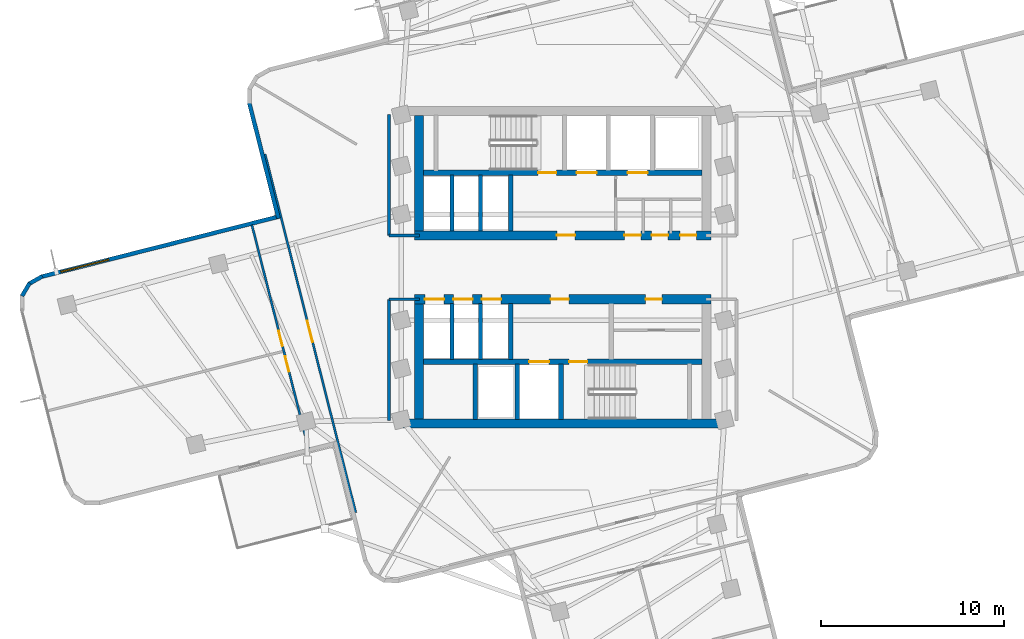
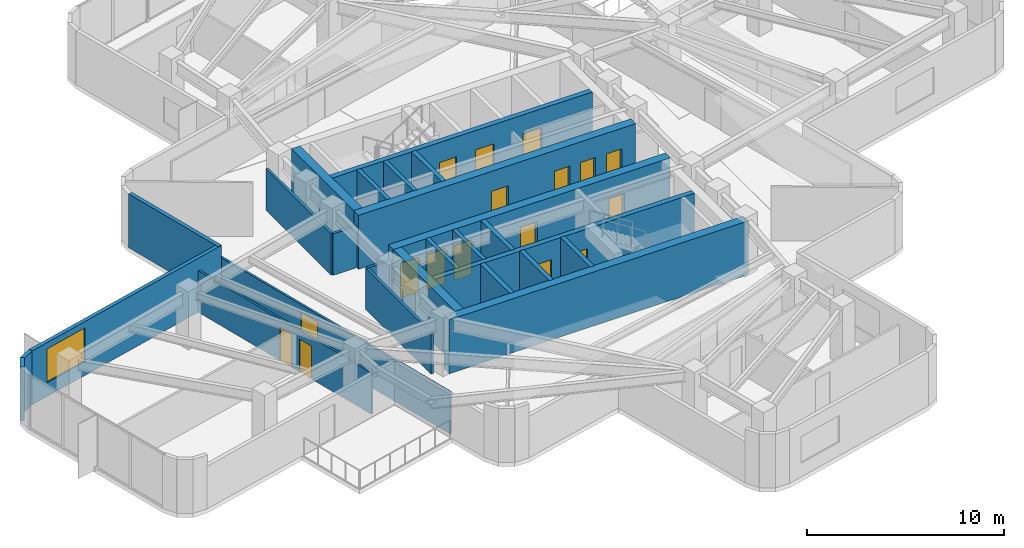
# One storey, part 6 of 11: 26 walls, 17 doors, 1 window, 18 openings.
"""IFC4 building model written with IfcOpenShell, lengths in metres."""

from ifc_helpers import new_model, si_unit, direction, frame, frame_2d, origin, place, context, subcontext, project, spatial, rectangle, extrude, material, layer, layer_set, type_object, element, fill, save


model = new_model("IFC4")

# Units and contexts
model_context = context("Model", 3, precision=1e-05, world=origin(), true_north=direction((0.0, 1.0)))
body_context = subcontext(model_context, "Body", "Model", "MODEL_VIEW")
ifc_project = project(units=[si_unit("LENGTHUNIT", "METRE"), si_unit("AREAUNIT", "SQUARE_METRE"), si_unit("VOLUMEUNIT", "CUBIC_METRE"), si_unit("PLANEANGLEUNIT", "RADIAN"), si_unit("MASSUNIT", "GRAM", prefix="KILO")], contexts=[model_context])

# Site, building, storey
site_placement = place(None, origin())
site = spatial("IfcSite", under=ifc_project, at=site_placement, CompositionType="ELEMENT")
building_placement = place(site_placement, origin())
building = spatial("IfcBuilding", under=site, at=building_placement, Name="Solmarez Civic Tower", CompositionType="ELEMENT")
storey_placement = place(building_placement, frame((0.0, 0.0, 127.080078125)))
storey = spatial("IfcBuildingStorey", under=building, at=storey_placement, Name="L33", CompositionType="ELEMENT", Elevation=127.080078125)

# Wall, openings, doors
ifc_material_1 = material(Name="Concrete C60/75", Category="concrete")
ifc_layer_1 = layer(ifc_material_1, 0.5)
ifc_layer_set_1 = layer_set([ifc_layer_1], Name="Concrete C60/75")
wall_type_1 = type_object("IfcWallType", Name="WALL-CORE-500", PredefinedType="SHEAR", material=ifc_layer_set_1)
wall_1_placement = place(storey_placement, frame((8.1201171875, 1.75, 0.0), z_axis=(0.0, 0.0, 1.0), x_axis=(-1.0, 0.0, 0.0)))
wall_1 = element("IfcWall", 1, at=wall_1_placement, inside=storey, type_object=wall_type_1, Name="L33 Split-Core Structural Wall NCW-S-L33", PredefinedType="SHEAR", context=body_context, shape_type="SweptSolid", body=[
    extrude(rectangle(XDim=16.240234375, YDim=0.5, at=frame_2d((8.1201171875, 0.0))), origin(), (0.0, 0.0, 1.0), 3.33984375),
])
opening_1_placement = place(wall_1_placement, frame((7.449951171875, 0.0, 0.0)))
opening_1 = element("IfcOpeningElement", 2, at=opening_1_placement, cuts=wall_1, Name="Opening D-04", PredefinedType="OPENING", context=body_context, shape_type="SweptSolid", body=[
    extrude(rectangle(XDim=1.0, YDim=2.10009765625, at=frame_2d((0.5, 1.050048828125))), frame((0.0, 0.260009765625, 0.0), z_axis=(0.0, -1.0, 0.0), x_axis=(1.0, 0.0, 0.0)), (0.0, 0.0, 1.0), 0.52001953125),
])
opening_2_placement = place(wall_1_placement, frame((3.85009765625, 0.0, 0.0)))
opening_2 = element("IfcOpeningElement", 3, at=opening_2_placement, cuts=wall_1, Name="Opening D-09", PredefinedType="OPENING", context=body_context, shape_type="SweptSolid", body=[
    extrude(rectangle(XDim=0.89990234375, YDim=2.06005859375, at=frame_2d((0.449951171875, 1.030029296875))), frame((0.0, 0.260009765625, 0.0), z_axis=(0.0, -1.0, 0.0), x_axis=(1.0, 0.0, 0.0)), (0.0, 0.0, 1.0), 0.52001953125),
])
opening_3_placement = place(wall_1_placement, frame((2.35009765625, 0.0, 0.0)))
opening_3 = element("IfcOpeningElement", 4, at=opening_3_placement, cuts=wall_1, Name="Opening D-09", PredefinedType="OPENING", context=body_context, shape_type="SweptSolid", body=[
    extrude(rectangle(XDim=0.89990234375, YDim=2.06005859375, at=frame_2d((0.449951171875, 1.030029296875))), frame((0.0, 0.260009765625, 0.0), z_axis=(0.0, -1.0, 0.0), x_axis=(1.0, 0.0, 0.0)), (0.0, 0.0, 1.0), 0.52001953125),
])
opening_4_placement = place(wall_1_placement, frame((0.800048828125, 0.0, 0.0)))
opening_4 = element("IfcOpeningElement", 5, at=opening_4_placement, cuts=wall_1, Name="Opening D-09", PredefinedType="OPENING", context=body_context, shape_type="SweptSolid", body=[
    extrude(rectangle(XDim=0.89990234375, YDim=2.06005859375, at=frame_2d((0.449951171875, 1.030029296875))), frame((0.0, 0.260009765625, 0.0), z_axis=(0.0, -1.0, 0.0), x_axis=(1.0, 0.0, 0.0)), (0.0, 0.0, 1.0), 0.52001953125),
])
ifc_material_2 = material(Name="Steel-Faced Acoustic Fire Door", Category="steel")
door_type_1 = type_object("IfcDoorType", Name="DOOR-FD60-1000", OperationType="NOTDEFINED", PredefinedType="DOOR", material=ifc_material_2)
door_1_placement = place(opening_1_placement, origin())
door_1 = element("IfcDoor", 6, at=door_1_placement, inside=storey, type_object=door_type_1, Name="L33 North Firefighting Lobby Door", OperationType="SINGLE_SWING_RIGHT", OverallHeight=2.10009765625, OverallWidth=1.0, PredefinedType="DOOR", context=body_context, shape_type="SweptSolid", body=[
    extrude(rectangle(XDim=1.0, YDim=2.10009765625, at=frame_2d((0.5, 1.050048828125))), frame((0.0, 0.02490234375, 0.0), z_axis=(0.0, -1.0, 0.0), x_axis=(1.0, 0.0, 0.0)), (0.0, 0.0, 1.0), 0.050048828125),
])
fill(opening_1, door_1)
ifc_material_3 = material(Name="Fire-Rated Service Core Door", Category="wood")
door_type_2 = type_object("IfcDoorType", Name="DOOR-FD60-900", OperationType="NOTDEFINED", PredefinedType="DOOR", material=ifc_material_3)
door_2_placement = place(opening_2_placement, origin())
door_2 = element("IfcDoor", 7, at=door_2_placement, inside=storey, type_object=door_type_2, Name="L33 Core WC Door", OperationType="SINGLE_SWING_RIGHT", OverallHeight=2.06005859375, OverallWidth=0.89990234375, PredefinedType="DOOR", context=body_context, shape_type="SweptSolid", body=[
    extrude(rectangle(XDim=0.89990234375, YDim=2.06005859375, at=frame_2d((0.449951171875, 1.030029296875))), frame((0.0, 0.02490234375, 0.0), z_axis=(0.0, -1.0, 0.0), x_axis=(1.0, 0.0, 0.0)), (0.0, 0.0, 1.0), 0.050048828125),
])
fill(opening_2, door_2)
door_3_placement = place(opening_3_placement, origin())
door_3 = element("IfcDoor", 8, at=door_3_placement, inside=storey, type_object=door_type_2, Name="L33 Core CL Door", OperationType="SINGLE_SWING_LEFT", OverallHeight=2.06005859375, OverallWidth=0.89990234375, PredefinedType="DOOR", context=body_context, shape_type="SweptSolid", body=[
    extrude(rectangle(XDim=0.89990234375, YDim=2.06005859375, at=frame_2d((0.449951171875, 1.030029296875))), frame((0.0, 0.02490234375, 0.0), z_axis=(0.0, -1.0, 0.0), x_axis=(1.0, 0.0, 0.0)), (0.0, 0.0, 1.0), 0.050048828125),
])
fill(opening_3, door_3)
door_4_placement = place(opening_4_placement, origin())
door_4 = element("IfcDoor", 9, at=door_4_placement, inside=storey, type_object=door_type_2, Name="L33 Core IT Door", OperationType="SINGLE_SWING_LEFT", OverallHeight=2.06005859375, OverallWidth=0.89990234375, PredefinedType="DOOR", context=body_context, shape_type="SweptSolid", body=[
    extrude(rectangle(XDim=0.89990234375, YDim=2.06005859375, at=frame_2d((0.449951171875, 1.030029296875))), frame((0.0, 0.02490234375, 0.0), z_axis=(0.0, -1.0, 0.0), x_axis=(1.0, 0.0, 0.0)), (0.0, 0.0, 1.0), 0.050048828125),
])
fill(opening_4, door_4)

# Walls
wall_2_placement = place(storey_placement, frame((-7.8701171875, 2.0, 0.0), z_axis=(0.0, 0.0, 1.0), x_axis=(0.0, 1.0, 0.0)))
element("IfcWall", 10, at=wall_2_placement, inside=storey, type_object=wall_type_1, Name="L33 Split-Core Structural Wall NCW-W-L33", PredefinedType="SHEAR", context=body_context, shape_type="SweptSolid", body=[
    extrude(rectangle(XDim=6.31005859375, YDim=0.5, at=frame_2d((3.155029296875, 0.0))), origin(), (0.0, 0.0, 1.0), 3.33984375),
])
wall_3_placement = place(storey_placement, frame((8.780029296875, -8.56005859375, 0.0), z_axis=(0.0, 0.0, 1.0), x_axis=(-1.0, 0.0, 0.0)))
element("IfcWall", 11, at=wall_3_placement, inside=storey, type_object=wall_type_1, Name="L33 Split-Core Structural Wall SCW-S-L33", PredefinedType="SHEAR", context=body_context, shape_type="SweptSolid", body=[
    extrude(rectangle(XDim=17.56005859375, YDim=0.5, at=frame_2d((8.780029296875, 0.0))), origin(), (0.0, 0.0, 1.0), 3.33984375),
])

# Wall, openings, doors
wall_4_placement = place(storey_placement, frame((-8.1201171875, -1.75, 0.0), z_axis=(0.0, 0.0, 1.0), x_axis=(1.0, 0.0, 0.0)))
wall_4 = element("IfcWall", 12, at=wall_4_placement, inside=storey, type_object=wall_type_1, Name="L33 Split-Core Structural Wall SCW-N-L33", PredefinedType="SHEAR", context=body_context, shape_type="SweptSolid", body=[
    extrude(rectangle(XDim=16.240234375, YDim=0.5, at=frame_2d((8.1201171875, 0.0))), origin(), (0.0, 0.0, 1.0), 3.33984375),
])
opening_5_placement = place(wall_4_placement, frame((7.449951171875, 0.0, 0.0)))
opening_5 = element("IfcOpeningElement", 13, at=opening_5_placement, cuts=wall_4, Name="Opening D-04", PredefinedType="OPENING", context=body_context, shape_type="SweptSolid", body=[
    extrude(rectangle(XDim=1.0, YDim=2.10009765625, at=frame_2d((0.5, 1.050048828125))), frame((0.0, 0.260009765625, 0.0), z_axis=(0.0, -1.0, 0.0), x_axis=(1.0, 0.0, 0.0)), (0.0, 0.0, 1.0), 0.52001953125),
])
opening_6_placement = place(wall_4_placement, frame((12.64990234375, 0.0, 0.0)))
opening_6 = element("IfcOpeningElement", 14, at=opening_6_placement, cuts=wall_4, Name="Opening D-09", PredefinedType="OPENING", context=body_context, shape_type="SweptSolid", body=[
    extrude(rectangle(XDim=0.89990234375, YDim=2.06005859375, at=frame_2d((0.449951171875, 1.030029296875))), frame((0.0, 0.260009765625, 0.0), z_axis=(0.0, -1.0, 0.0), x_axis=(1.0, 0.0, 0.0)), (0.0, 0.0, 1.0), 0.52001953125),
])
opening_7_placement = place(wall_4_placement, frame((0.56494140625, 0.0, 0.0)))
opening_7 = element("IfcOpeningElement", 15, at=opening_7_placement, cuts=wall_4, Name="Opening LD-01", PredefinedType="OPENING", context=body_context, shape_type="SweptSolid", body=[
    extrude(rectangle(XDim=1.050048828125, YDim=2.14990234375, at=frame_2d((0.52490234375, 1.074951171875))), frame((0.0, 0.260009765625, 0.0), z_axis=(0.0, -1.0, 0.0), x_axis=(1.0, 0.0, 0.0)), (0.0, 0.0, 1.0), 0.52001953125),
])
opening_8_placement = place(wall_4_placement, frame((2.125, 0.0, 0.0)))
opening_8 = element("IfcOpeningElement", 16, at=opening_8_placement, cuts=wall_4, Name="Opening LD-01", PredefinedType="OPENING", context=body_context, shape_type="SweptSolid", body=[
    extrude(rectangle(XDim=1.050048828125, YDim=2.14990234375, at=frame_2d((0.52490234375, 1.074951171875))), frame((0.0, 0.260009765625, 0.0), z_axis=(0.0, -1.0, 0.0), x_axis=(1.0, 0.0, 0.0)), (0.0, 0.0, 1.0), 0.52001953125),
])
opening_9_placement = place(wall_4_placement, frame((3.68505859375, 0.0, 0.0)))
opening_9 = element("IfcOpeningElement", 17, at=opening_9_placement, cuts=wall_4, Name="Opening LD-01", PredefinedType="OPENING", context=body_context, shape_type="SweptSolid", body=[
    extrude(rectangle(XDim=1.050048828125, YDim=2.14990234375, at=frame_2d((0.52490234375, 1.074951171875))), frame((0.0, 0.260009765625, 0.0), z_axis=(0.0, -1.0, 0.0), x_axis=(1.0, 0.0, 0.0)), (0.0, 0.0, 1.0), 0.52001953125),
])
door_5_placement = place(opening_5_placement, origin())
door_5 = element("IfcDoor", 18, at=door_5_placement, inside=storey, type_object=door_type_1, Name="L33 South Firefighting Lobby Door", OperationType="SINGLE_SWING_LEFT", OverallHeight=2.10009765625, OverallWidth=1.0, PredefinedType="DOOR", context=body_context, shape_type="SweptSolid", body=[
    extrude(rectangle(XDim=1.0, YDim=2.10009765625, at=frame_2d((0.5, 1.050048828125))), frame((0.0, 0.02490234375, 0.0), z_axis=(0.0, -1.0, 0.0), x_axis=(1.0, 0.0, 0.0)), (0.0, 0.0, 1.0), 0.050048828125),
])
fill(opening_5, door_5)
door_6_placement = place(opening_6_placement, origin())
door_6 = element("IfcDoor", 19, at=door_6_placement, inside=storey, type_object=door_type_2, Name="L33 Freed Hoistway Mailroom Door", OperationType="SINGLE_SWING_LEFT", OverallHeight=2.06005859375, OverallWidth=0.89990234375, PredefinedType="DOOR", context=body_context, shape_type="SweptSolid", body=[
    extrude(rectangle(XDim=0.89990234375, YDim=2.06005859375, at=frame_2d((0.449951171875, 1.030029296875))), frame((0.0, 0.02490234375, 0.0), z_axis=(0.0, -1.0, 0.0), x_axis=(1.0, 0.0, 0.0)), (0.0, 0.0, 1.0), 0.050048828125),
])
fill(opening_6, door_6)
ifc_material_4 = material(Name="Bronze Passenger Lift Landing Sliding Door", Category="aluminium")
door_type_3 = type_object("IfcDoorType", Name="DOOR-LD-PAX-1050", OperationType="DOUBLE_DOOR_SLIDING", PredefinedType="DOOR", material=ifc_material_4)
door_7_placement = place(opening_7_placement, origin())
door_7 = element("IfcDoor", 20, at=door_7_placement, inside=storey, type_object=door_type_3, Name="L33 Mid-Rise Lift Landing Door PL-M1", OperationType="DOUBLE_DOOR_SLIDING", OverallHeight=2.14990234375, OverallWidth=1.050048828125, PredefinedType="DOOR", context=body_context, shape_type="SweptSolid", body=[
    extrude(rectangle(XDim=1.050048828125, YDim=2.14990234375, at=frame_2d((0.52490234375, 1.074951171875))), frame((0.0, 0.02490234375, 0.0), z_axis=(0.0, -1.0, 0.0), x_axis=(1.0, 0.0, 0.0)), (0.0, 0.0, 1.0), 0.050048828125),
])
fill(opening_7, door_7)
door_8_placement = place(opening_8_placement, origin())
door_8 = element("IfcDoor", 21, at=door_8_placement, inside=storey, type_object=door_type_3, Name="L33 Mid-Rise Lift Landing Door PL-M2", OperationType="DOUBLE_DOOR_SLIDING", OverallHeight=2.14990234375, OverallWidth=1.050048828125, PredefinedType="DOOR", context=body_context, shape_type="SweptSolid", body=[
    extrude(rectangle(XDim=1.050048828125, YDim=2.14990234375, at=frame_2d((0.52490234375, 1.074951171875))), frame((0.0, 0.02490234375, 0.0), z_axis=(0.0, -1.0, 0.0), x_axis=(1.0, 0.0, 0.0)), (0.0, 0.0, 1.0), 0.050048828125),
])
fill(opening_8, door_8)
door_9_placement = place(opening_9_placement, origin())
door_9 = element("IfcDoor", 22, at=door_9_placement, inside=storey, type_object=door_type_3, Name="L33 Mid-Rise Lift Landing Door PL-M3", OperationType="DOUBLE_DOOR_SLIDING", OverallHeight=2.14990234375, OverallWidth=1.050048828125, PredefinedType="DOOR", context=body_context, shape_type="SweptSolid", body=[
    extrude(rectangle(XDim=1.050048828125, YDim=2.14990234375, at=frame_2d((0.52490234375, 1.074951171875))), frame((0.0, 0.02490234375, 0.0), z_axis=(0.0, -1.0, 0.0), x_axis=(1.0, 0.0, 0.0)), (0.0, 0.0, 1.0), 0.050048828125),
])
fill(opening_9, door_9)

# Walls
wall_5_placement = place(storey_placement, frame((-7.8701171875, -8.31005859375, 0.0), z_axis=(0.0, 0.0, 1.0), x_axis=(0.0, 1.0, 0.0)))
element("IfcWall", 23, at=wall_5_placement, inside=storey, type_object=wall_type_1, Name="L33 Split-Core Structural Wall SCW-W-L33", PredefinedType="SHEAR", context=body_context, shape_type="SweptSolid", body=[
    extrude(rectangle(XDim=6.31005859375, YDim=0.5, at=frame_2d((3.155029296875, 0.0))), origin(), (0.0, 0.0, 1.0), 3.33984375),
])
ifc_material_5 = material(Name="Precast concrete C40/50", Category="concrete")
ifc_layer_2 = layer(ifc_material_5, 0.219970703125)
ifc_layer_set_2 = layer_set([ifc_layer_2], Name="Precast concrete C40/50")
wall_type_2 = type_object("IfcWallType", Name="WALL-EXT-220", PredefinedType="SOLIDWALL", material=ifc_layer_set_2)
wall_6_placement = place(storey_placement, frame((-29.625, -1.569091796875, 0.0), z_axis=(0.0, 0.0, 1.0), x_axis=(0.513266477087, 0.858229295409, 0.0)))
element("IfcWall", 24, at=wall_6_placement, inside=storey, type_object=wall_type_2, Name="L33 Exterior Precast Wall 8", PredefinedType="SOLIDWALL", context=body_context, shape_type="SweptSolid", body=[
    extrude(rectangle(XDim=0.818115234375, YDim=0.219970703125, at=frame_2d((0.4091796875, 0.0))), origin(), (0.0, 0.0, 1.0), 3.33984375),
])
wall_7_placement = place(storey_placement, frame((-29.239990234375, -0.89990234375, 0.0), z_axis=(0.0, 0.0, 1.0), x_axis=(0.873148499647, 0.487454303052, 0.0)))
element("IfcWall", 25, at=wall_7_placement, inside=storey, type_object=wall_type_2, Name="L33 Exterior Precast Wall 9", PredefinedType="SOLIDWALL", context=body_context, shape_type="SweptSolid", body=[
    extrude(rectangle(XDim=0.8349609375, YDim=0.219970703125, at=frame_2d((0.41748046875, 0.0))), origin(), (0.0, 0.0, 1.0), 3.33984375),
])

# Wall, opening, window
wall_8_placement = place(storey_placement, frame((-28.556884765625, -0.510986328125, 0.0), z_axis=(0.0, 0.0, 1.0), x_axis=(0.969429758912, 0.245368992613, 0.0)))
wall_8 = element("IfcWall", 26, at=wall_8_placement, inside=storey, type_object=wall_type_2, Name="L33 Exterior Precast Wall 10", PredefinedType="SOLIDWALL", context=body_context, shape_type="SweptSolid", body=[
    extrude(rectangle(XDim=13.457275390625, YDim=0.219970703125, at=frame_2d((6.728515625, 0.0))), origin(), (0.0, 0.0, 1.0), 3.33984375),
])
opening_10_placement = place(wall_8_placement, frame((1.10009765625, 0.0, 0.85009765625)))
opening_10 = element("IfcOpeningElement", 27, at=opening_10_placement, cuts=wall_8, Name="Opening W-01", PredefinedType="OPENING", context=body_context, shape_type="SweptSolid", body=[
    extrude(rectangle(XDim=2.699951171875, YDim=2.10009765625, at=frame_2d((1.35009765625, 1.050048828125))), frame((0.0, 0.119873046875, 0.0), z_axis=(0.0, -1.0, 0.0), x_axis=(1.0, 0.0, 0.0)), (0.0, 0.0, 1.0), 0.239990234375),
])
ifc_material_6 = material(Name="Solar Control Bronze-Tinted Insulating Glass", Category="glass")
window_type = type_object("IfcWindowType", Name="WIN-2700X2100", PartitioningType="SINGLE_PANEL", PredefinedType="WINDOW", material=ifc_material_6)
window_placement = place(opening_10_placement, origin())
window = element("IfcWindow", 28, at=window_placement, inside=storey, type_object=window_type, Name="L33 Exterior Facade Window 10", OverallHeight=2.10009765625, OverallWidth=2.699951171875, PartitioningType="SINGLE_PANEL", PredefinedType="WINDOW", context=body_context, shape_type="SweptSolid", body=[
    extrude(rectangle(XDim=2.699951171875, YDim=2.10009765625, at=frame_2d((1.35009765625, 1.050048828125))), frame((0.0, 0.030029296875, 0.0), z_axis=(0.0, -1.0, 0.0), x_axis=(1.0, 0.0, 0.0)), (0.0, 0.0, 1.0), 0.06005859375),
])
fill(opening_10, window)

# Walls
wall_9_placement = place(storey_placement, frame((-15.573974609375, 2.68408203125, 0.0), z_axis=(0.0, 0.0, 1.0), x_axis=(-0.245346347134, 0.969435490349, 0.0)))
element("IfcWall", 29, at=wall_9_placement, inside=storey, type_object=wall_type_2, Name="L33 Exterior Precast Wall 13", PredefinedType="SOLIDWALL", context=body_context, shape_type="SweptSolid", body=[
    extrude(rectangle(XDim=6.53759765625, YDim=0.219970703125, at=frame_2d((3.268798828125, 0.0))), origin(), (0.0, 0.0, 1.0), 3.33984375),
])
ifc_material_7 = material(Name="Gypsum Board Acoustic Steel-Stud Partition", Category="steel")
ifc_layer_3 = layer(ifc_material_7, 0.14990234375)
ifc_layer_set_3 = layer_set([ifc_layer_3], Name="Gypsum Board Acoustic Steel-Stud Partition")
wall_type_3 = type_object("IfcWallType", Name="WALL-INT-FIRE-150", PredefinedType="PARTITIONING", material=ifc_layer_set_3)
wall_10_placement = place(storey_placement, frame((-9.52001953125, 1.75, 0.0), z_axis=(0.0, 0.0, 1.0), x_axis=(0.0, 1.0, 0.0)))
element("IfcWall", 30, at=wall_10_placement, inside=storey, type_object=wall_type_3, Name="L33 Interior Partition CHW-L33-WN1", PredefinedType="PARTITIONING", context=body_context, shape_type="SweptSolid", body=[
    extrude(rectangle(XDim=6.6298828125, YDim=0.14990234375, at=frame_2d((3.31494140625, 0.0))), origin(), (0.0, 0.0, 1.0), 2.56982421875),
])
wall_11_placement = place(storey_placement, frame((-7.85009765625, 1.75, 0.0), z_axis=(0.0, 0.0, 1.0), x_axis=(-1.0, 0.0, 0.0)))
element("IfcWall", 31, at=wall_11_placement, inside=storey, type_object=wall_type_3, Name="L33 Interior Partition CHW-L33-WN3", PredefinedType="PARTITIONING", context=body_context, shape_type="SweptSolid", body=[
    extrude(rectangle(XDim=1.669921875, YDim=0.14990234375, at=frame_2d((0.8349609375, 0.0))), origin(), (0.0, 0.0, 1.0), 2.56982421875),
])
wall_12_placement = place(storey_placement, frame((-9.52001953125, -8.3798828125, 0.0), z_axis=(0.0, 0.0, 1.0), x_axis=(0.0, 1.0, 0.0)))
element("IfcWall", 32, at=wall_12_placement, inside=storey, type_object=wall_type_3, Name="L33 Interior Partition CHW-L33-WS1", PredefinedType="PARTITIONING", context=body_context, shape_type="SweptSolid", body=[
    extrude(rectangle(XDim=6.6298828125, YDim=0.14990234375, at=frame_2d((3.31494140625, 0.0))), origin(), (0.0, 0.0, 1.0), 2.56982421875),
])
wall_13_placement = place(storey_placement, frame((-7.85009765625, -1.75, 0.0), z_axis=(0.0, 0.0, 1.0), x_axis=(-1.0, 0.0, 0.0)))
element("IfcWall", 33, at=wall_13_placement, inside=storey, type_object=wall_type_3, Name="L33 Interior Partition CHW-L33-WS3", PredefinedType="PARTITIONING", context=body_context, shape_type="SweptSolid", body=[
    extrude(rectangle(XDim=1.669921875, YDim=0.14990234375, at=frame_2d((0.8349609375, 0.0))), origin(), (0.0, 0.0, 1.0), 2.56982421875),
])

# Wall, opening, door
ifc_layer_4 = layer(ifc_material_7, 0.1201171875)
ifc_layer_set_4 = layer_set([ifc_layer_4], Name="Gypsum Board Acoustic Steel-Stud Partition")
wall_type_4 = type_object("IfcWallType", Name="WALL-INT-PART-120", PredefinedType="PARTITIONING", material=ifc_layer_set_4)
wall_14_placement = place(storey_placement, frame((-11.342041015625, -13.43310546875, 0.0), z_axis=(0.0, 0.0, 1.0), x_axis=(-0.24525085526, 0.969459652587, 0.0)))
wall_14 = element("IfcWall", 34, at=wall_14_placement, inside=storey, type_object=wall_type_4, Name="L33 Interior Partition PT-L33-W-ENT", PredefinedType="PARTITIONING", context=body_context, shape_type="SweptSolid", body=[
    extrude(rectangle(XDim=20.2607421875, YDim=0.1201171875, at=frame_2d((10.13037109375, 0.0))), origin(), (0.0, 0.0, 1.0), 2.56982421875),
])
opening_11_placement = place(wall_14_placement, frame((9.639892578125, 0.0, 0.0)))
opening_11 = element("IfcOpeningElement", 35, at=opening_11_placement, cuts=wall_14, Name="Opening D-11", PredefinedType="OPENING", context=body_context, shape_type="SweptSolid", body=[
    extrude(rectangle(XDim=1.199951171875, YDim=2.10009765625, at=frame_2d((0.60009765625, 1.050048828125))), frame((0.0, 0.070068359375, 0.0), z_axis=(0.0, -1.0, 0.0), x_axis=(1.0, 0.0, 0.0)), (0.0, 0.0, 1.0), 0.14013671875),
])
ifc_material_8 = material(Name="Glazed-Vision Acoustic Chamber Door", Category="wood")
door_type_4 = type_object("IfcDoorType", Name="DOOR-INT-1200", OperationType="NOTDEFINED", PredefinedType="DOOR", material=ifc_material_8)
door_10_placement = place(opening_11_placement, origin())
door_10 = element("IfcDoor", 36, at=door_10_placement, inside=storey, type_object=door_type_4, Name="L33 Policy Boardroom First West Door", OperationType="SINGLE_SWING_LEFT", OverallHeight=2.10009765625, OverallWidth=1.199951171875, PredefinedType="DOOR", context=body_context, shape_type="SweptSolid", body=[
    extrude(rectangle(XDim=1.199951171875, YDim=2.10009765625, at=frame_2d((0.60009765625, 1.050048828125))), frame((0.0, 0.02490234375, 0.0), z_axis=(0.0, -1.0, 0.0), x_axis=(1.0, 0.0, 0.0)), (0.0, 0.0, 1.0), 0.050048828125),
])
fill(opening_11, door_10)

# Wall, openings, doors
wall_15_placement = place(storey_placement, frame((-17.031982421875, 2.327880859375, 0.0), z_axis=(0.0, 0.0, 1.0), x_axis=(0.245381918011, -0.969426487318, 0.0)))
wall_15 = element("IfcWall", 37, at=wall_15_placement, inside=storey, type_object=wall_type_4, Name="L33 Interior Partition PT-L33-W-SCUT", PredefinedType="PARTITIONING", context=body_context, shape_type="SweptSolid", body=[
    extrude(rectangle(XDim=12.649658203125, YDim=0.1201171875, at=frame_2d((6.32470703125, 0.0))), origin(), (0.0, 0.0, 1.0), 2.56982421875),
])
opening_12_placement = place(wall_15_placement, frame((5.985107421875, 0.0, 0.0)))
opening_12 = element("IfcOpeningElement", 38, at=opening_12_placement, cuts=wall_15, Name="Opening D-14", PredefinedType="OPENING", context=body_context, shape_type="SweptSolid", body=[
    extrude(rectangle(XDim=0.860107421875, YDim=2.0400390625, at=frame_2d((0.43017578125, 1.02001953125))), frame((0.0, 0.070068359375, 0.0), z_axis=(0.0, -1.0, 0.0), x_axis=(1.0, 0.0, 0.0)), (0.0, 0.0, 1.0), 0.14013671875),
])
opening_13_placement = place(wall_15_placement, frame((7.425048828125, 0.0, 0.0)))
opening_13 = element("IfcOpeningElement", 39, at=opening_13_placement, cuts=wall_15, Name="Opening D-14", PredefinedType="OPENING", context=body_context, shape_type="SweptSolid", body=[
    extrude(rectangle(XDim=0.860107421875, YDim=2.0400390625, at=frame_2d((0.43017578125, 1.02001953125))), frame((0.0, 0.070068359375, 0.0), z_axis=(0.0, -1.0, 0.0), x_axis=(1.0, 0.0, 0.0)), (0.0, 0.0, 1.0), 0.14013671875),
])
ifc_material_9 = material(Name="Timber Storage and Pantry Door", Category="wood")
door_type_5 = type_object("IfcDoorType", Name="DOOR-INT-850", OperationType="NOTDEFINED", PredefinedType="DOOR", material=ifc_material_9)
door_11_placement = place(opening_12_placement, origin())
door_11 = element("IfcDoor", 40, at=door_11_placement, inside=storey, type_object=door_type_5, Name="L33 Directorate Office Third West Door", OperationType="SINGLE_SWING_RIGHT", OverallHeight=2.0400390625, OverallWidth=0.860107421875, PredefinedType="DOOR", context=body_context, shape_type="SweptSolid", body=[
    extrude(rectangle(XDim=0.860107421875, YDim=2.0400390625, at=frame_2d((0.43017578125, 1.02001953125))), frame((0.0, 0.02490234375, 0.0), z_axis=(0.0, -1.0, 0.0), x_axis=(1.0, 0.0, 0.0)), (0.0, 0.0, 1.0), 0.050048828125),
])
fill(opening_12, door_11)
door_12_placement = place(opening_13_placement, origin())
door_12 = element("IfcDoor", 41, at=door_12_placement, inside=storey, type_object=door_type_5, Name="L33 Ministry Open Workspace Second West Door", OperationType="SINGLE_SWING_LEFT", OverallHeight=2.0400390625, OverallWidth=0.860107421875, PredefinedType="DOOR", context=body_context, shape_type="SweptSolid", body=[
    extrude(rectangle(XDim=0.860107421875, YDim=2.0400390625, at=frame_2d((0.43017578125, 1.02001953125))), frame((0.0, 0.02490234375, 0.0), z_axis=(0.0, -1.0, 0.0), x_axis=(1.0, 0.0, 0.0)), (0.0, 0.0, 1.0), 0.050048828125),
])
fill(opening_13, door_12)

ifc_material_10 = material(Name="Concrete C50/60", Category="concrete")
ifc_layer_5 = layer(ifc_material_10, 0.300048828125)
ifc_layer_set_5 = layer_set([ifc_layer_5], Name="Concrete C50/60")
wall_type_5 = type_object("IfcWallType", Name="WALL-STR-300", PredefinedType="SOLIDWALL", material=ifc_layer_set_5)
wall_16_placement = place(storey_placement, frame((7.6201171875, 5.179931640625, 0.0), z_axis=(0.0, 0.0, 1.0), x_axis=(-1.0, 0.0, 0.0)))
wall_16 = element("IfcWall", 42, at=wall_16_placement, inside=storey, type_object=wall_type_5, Name="L33 Split-Core Structural Wall NCW-M-L33", PredefinedType="SOLIDWALL", context=body_context, shape_type="SweptSolid", body=[
    extrude(rectangle(XDim=15.240234375, YDim=0.300048828125, at=frame_2d((7.6201171875, 0.0))), origin(), (0.0, 0.0, 1.0), 3.33984375),
])
opening_14_placement = place(wall_16_placement, frame((5.77001953125, 0.0, 0.0)))
opening_14 = element("IfcOpeningElement", 43, at=opening_14_placement, cuts=wall_16, Name="Opening LD-02", PredefinedType="OPENING", context=body_context, shape_type="SweptSolid", body=[
    extrude(rectangle(XDim=1.10009765625, YDim=2.14990234375, at=frame_2d((0.550048828125, 1.074951171875))), frame((0.0, 0.159912109375, 0.0), z_axis=(0.0, -1.0, 0.0), x_axis=(1.0, 0.0, 0.0)), (0.0, 0.0, 1.0), 0.320068359375),
])
opening_15_placement = place(wall_16_placement, frame((2.969970703125, 0.0, 0.0)))
opening_15 = element("IfcOpeningElement", 44, at=opening_15_placement, cuts=wall_16, Name="Opening LD-03", PredefinedType="OPENING", context=body_context, shape_type="SweptSolid", body=[
    extrude(rectangle(XDim=1.10009765625, YDim=2.14990234375, at=frame_2d((0.550048828125, 1.074951171875))), frame((0.0, 0.159912109375, 0.0), z_axis=(0.0, -1.0, 0.0), x_axis=(1.0, 0.0, 0.0)), (0.0, 0.0, 1.0), 0.320068359375),
])
opening_16_placement = place(wall_16_placement, frame((7.969970703125, 0.0, 0.0)))
opening_16 = element("IfcOpeningElement", 45, at=opening_16_placement, cuts=wall_16, Name="Opening D-05", PredefinedType="OPENING", context=body_context, shape_type="SweptSolid", body=[
    extrude(rectangle(XDim=1.0, YDim=2.10009765625, at=frame_2d((0.5, 1.050048828125))), frame((0.0, 0.159912109375, 0.0), z_axis=(0.0, -1.0, 0.0), x_axis=(1.0, 0.0, 0.0)), (0.0, 0.0, 1.0), 0.320068359375),
])
ifc_material_11 = material(Name="Fire-Rated Stairwell Exit Door", Category="wood")
door_type_6 = type_object("IfcDoorType", Name="DOOR-FD90-1000", OperationType="NOTDEFINED", PredefinedType="DOOR", material=ifc_material_11)
door_13_placement = place(opening_16_placement, origin())
door_13 = element("IfcDoor", 46, at=door_13_placement, inside=storey, type_object=door_type_6, Name="L33 North Exit Stair Door ST-1", OperationType="SINGLE_SWING_RIGHT", OverallHeight=2.10009765625, OverallWidth=1.0, PredefinedType="DOOR", context=body_context, shape_type="SweptSolid", body=[
    extrude(rectangle(XDim=1.0, YDim=2.10009765625, at=frame_2d((0.5, 1.050048828125))), frame((0.0, 0.02490234375, 0.0), z_axis=(0.0, -1.0, 0.0), x_axis=(1.0, 0.0, 0.0)), (0.0, 0.0, 1.0), 0.050048828125),
])
fill(opening_16, door_13)
ifc_material_12 = material(Name="Stainless Firefighting Lift Landing Sliding Door", Category="aluminium")
door_type_7 = type_object("IfcDoorType", Name="DOOR-LD-FF-1100", OperationType="DOUBLE_DOOR_SLIDING", PredefinedType="DOOR", material=ifc_material_12)
door_14_placement = place(opening_14_placement, origin())
door_14 = element("IfcDoor", 47, at=door_14_placement, inside=storey, type_object=door_type_7, Name="L33 Firefighting Lift Landing Door FFL-1", OperationType="DOUBLE_DOOR_SLIDING", OverallHeight=2.14990234375, OverallWidth=1.10009765625, PredefinedType="DOOR", context=body_context, shape_type="SweptSolid", body=[
    extrude(rectangle(XDim=1.10009765625, YDim=2.14990234375, at=frame_2d((0.550048828125, 1.074951171875))), frame((0.0, 0.02490234375, 0.0), z_axis=(0.0, -1.0, 0.0), x_axis=(1.0, 0.0, 0.0)), (0.0, 0.0, 1.0), 0.050048828125),
])
fill(opening_14, door_14)
ifc_material_13 = material(Name="Stainless Stretcher Lift Landing Sliding Door", Category="aluminium")
door_type_8 = type_object("IfcDoorType", Name="DOOR-LD-SV-1100", OperationType="DOUBLE_DOOR_SLIDING", PredefinedType="DOOR", material=ifc_material_13)
door_15_placement = place(opening_15_placement, origin())
door_15 = element("IfcDoor", 48, at=door_15_placement, inside=storey, type_object=door_type_8, Name="L33 Service Stretcher Lift Landing Door SVL-1", OperationType="DOUBLE_DOOR_SLIDING", OverallHeight=2.14990234375, OverallWidth=1.10009765625, PredefinedType="DOOR", context=body_context, shape_type="SweptSolid", body=[
    extrude(rectangle(XDim=1.10009765625, YDim=2.14990234375, at=frame_2d((0.550048828125, 1.074951171875))), frame((0.0, 0.02490234375, 0.0), z_axis=(0.0, -1.0, 0.0), x_axis=(1.0, 0.0, 0.0)), (0.0, 0.0, 1.0), 0.050048828125),
])
fill(opening_15, door_15)

wall_17_placement = place(storey_placement, frame((-7.6201171875, -5.179931640625, 0.0), z_axis=(0.0, 0.0, 1.0), x_axis=(1.0, 0.0, 0.0)))
wall_17 = element("IfcWall", 49, at=wall_17_placement, inside=storey, type_object=wall_type_5, Name="L33 Split-Core Structural Wall SCW-M-L33", PredefinedType="SOLIDWALL", context=body_context, shape_type="SweptSolid", body=[
    extrude(rectangle(XDim=15.240234375, YDim=0.300048828125, at=frame_2d((7.6201171875, 0.0))), origin(), (0.0, 0.0, 1.0), 3.33984375),
])
opening_17_placement = place(wall_17_placement, frame((5.77001953125, 0.0, 0.0)))
opening_17 = element("IfcOpeningElement", 50, at=opening_17_placement, cuts=wall_17, Name="Opening LD-02", PredefinedType="OPENING", context=body_context, shape_type="SweptSolid", body=[
    extrude(rectangle(XDim=1.10009765625, YDim=2.14990234375, at=frame_2d((0.550048828125, 1.074951171875))), frame((0.0, 0.159912109375, 0.0), z_axis=(0.0, -1.0, 0.0), x_axis=(1.0, 0.0, 0.0)), (0.0, 0.0, 1.0), 0.320068359375),
])
opening_18_placement = place(wall_17_placement, frame((7.969970703125, 0.0, 0.0)))
opening_18 = element("IfcOpeningElement", 51, at=opening_18_placement, cuts=wall_17, Name="Opening D-05", PredefinedType="OPENING", context=body_context, shape_type="SweptSolid", body=[
    extrude(rectangle(XDim=1.0, YDim=2.10009765625, at=frame_2d((0.5, 1.050048828125))), frame((0.0, 0.159912109375, 0.0), z_axis=(0.0, -1.0, 0.0), x_axis=(1.0, 0.0, 0.0)), (0.0, 0.0, 1.0), 0.320068359375),
])
door_16_placement = place(opening_18_placement, origin())
door_16 = element("IfcDoor", 52, at=door_16_placement, inside=storey, type_object=door_type_6, Name="L33 South Exit Stair Door ST-2", OperationType="SINGLE_SWING_LEFT", OverallHeight=2.10009765625, OverallWidth=1.0, PredefinedType="DOOR", context=body_context, shape_type="SweptSolid", body=[
    extrude(rectangle(XDim=1.0, YDim=2.10009765625, at=frame_2d((0.5, 1.050048828125))), frame((0.0, 0.02490234375, 0.0), z_axis=(0.0, -1.0, 0.0), x_axis=(1.0, 0.0, 0.0)), (0.0, 0.0, 1.0), 0.050048828125),
])
fill(opening_18, door_16)
door_17_placement = place(opening_17_placement, origin())
door_17 = element("IfcDoor", 53, at=door_17_placement, inside=storey, type_object=door_type_7, Name="L33 Firefighting Lift Landing Door FFL-2", OperationType="DOUBLE_DOOR_SLIDING", OverallHeight=2.14990234375, OverallWidth=1.10009765625, PredefinedType="DOOR", context=body_context, shape_type="SweptSolid", body=[
    extrude(rectangle(XDim=1.10009765625, YDim=2.14990234375, at=frame_2d((0.550048828125, 1.074951171875))), frame((0.0, 0.02490234375, 0.0), z_axis=(0.0, -1.0, 0.0), x_axis=(1.0, 0.0, 0.0)), (0.0, 0.0, 1.0), 0.050048828125),
])
fill(opening_17, door_17)

# Walls
wall_18_placement = place(storey_placement, frame((-2.85009765625, 1.97998046875, 0.0), z_axis=(0.0, 0.0, 1.0), x_axis=(0.0, 1.0, 0.0)))
element("IfcWall", 54, at=wall_18_placement, inside=storey, type_object=wall_type_5, Name="L33 Split-Core Structural Wall SHW-NL1-L33", PredefinedType="SOLIDWALL", context=body_context, shape_type="SweptSolid", body=[
    extrude(rectangle(XDim=3.070068359375, YDim=0.25, at=frame_2d((1.53515625, 0.0))), origin(), (0.0, 0.0, 1.0), 3.33984375),
])
for number, where, z_axis, x_axis, name in (
    (55, (-0.10009765625, -8.340087890625, 0.0), (0.0, 0.0, 1.0), (0.0, 1.0, 0.0), "L33 Split-Core Structural Wall SHW-S1-L33"),
    (56, (-2.5, -8.340087890625, 0.0), (0.0, 0.0, 1.0), (0.0, 1.0, 0.0), "L33 Split-Core Structural Wall SHW-S2-L33"),
    (57, (-4.800048828125, -8.340087890625, 0.0), (0.0, 0.0, 1.0), (0.0, 1.0, 0.0), "L33 Split-Core Structural Wall SHW-S3-L33"),
):
    element("IfcWall", number, at=place(storey_placement, frame(where, z_axis=z_axis, x_axis=x_axis)), inside=storey, type_object=wall_type_5, Name=name, PredefinedType="SOLIDWALL", context=body_context, shape_type="SweptSolid", body=[
        extrude(rectangle(XDim=3.0400390625, YDim=0.25, at=frame_2d((1.52001953125, 0.0))), origin(), (0.0, 0.0, 1.0), 3.33984375),
    ])
wall_19_placement = place(storey_placement, frame((-2.85009765625, -5.050048828125, 0.0), z_axis=(0.0, 0.0, 1.0), x_axis=(0.0, 1.0, 0.0)))
element("IfcWall", 58, at=wall_19_placement, inside=storey, type_object=wall_type_5, Name="L33 Split-Core Structural Wall SHW-SL1-L33", PredefinedType="SOLIDWALL", context=body_context, shape_type="SweptSolid", body=[
    extrude(rectangle(XDim=3.070068359375, YDim=0.25, at=frame_2d((1.53515625, 0.0))), origin(), (0.0, 0.0, 1.0), 3.33984375),
])
for number, where, z_axis, x_axis, name in (
    (59, (-6.080078125, 1.97998046875, 0.0), (0.0, 0.0, 1.0), (0.0, 1.0, 0.0), "L33 Split-Core Structural Wall SHW-PLH-L33-1"),
    (60, (-4.52001953125, 1.97998046875, 0.0), (0.0, 0.0, 1.0), (0.0, 1.0, 0.0), "L33 Split-Core Structural Wall SHW-PLH-L33-2"),
    (61, (-6.080078125, -5.050048828125, 0.0), (0.0, 0.0, 1.0), (0.0, 1.0, 0.0), "L33 Split-Core Structural Wall SHW-PLM-L33-1"),
    (62, (-4.52001953125, -5.050048828125, 0.0), (0.0, 0.0, 1.0), (0.0, 1.0, 0.0), "L33 Split-Core Structural Wall SHW-PLM-L33-2"),
):
    element("IfcWall", number, at=place(storey_placement, frame(where, z_axis=z_axis, x_axis=x_axis)), inside=storey, type_object=wall_type_5, Name=name, PredefinedType="SOLIDWALL", context=body_context, shape_type="SweptSolid", body=[
        extrude(rectangle(XDim=3.070068359375, YDim=0.219970703125, at=frame_2d((1.53515625, 0.0))), origin(), (0.0, 0.0, 1.0), 3.33984375),
    ])

save(model, "model.ifc")
